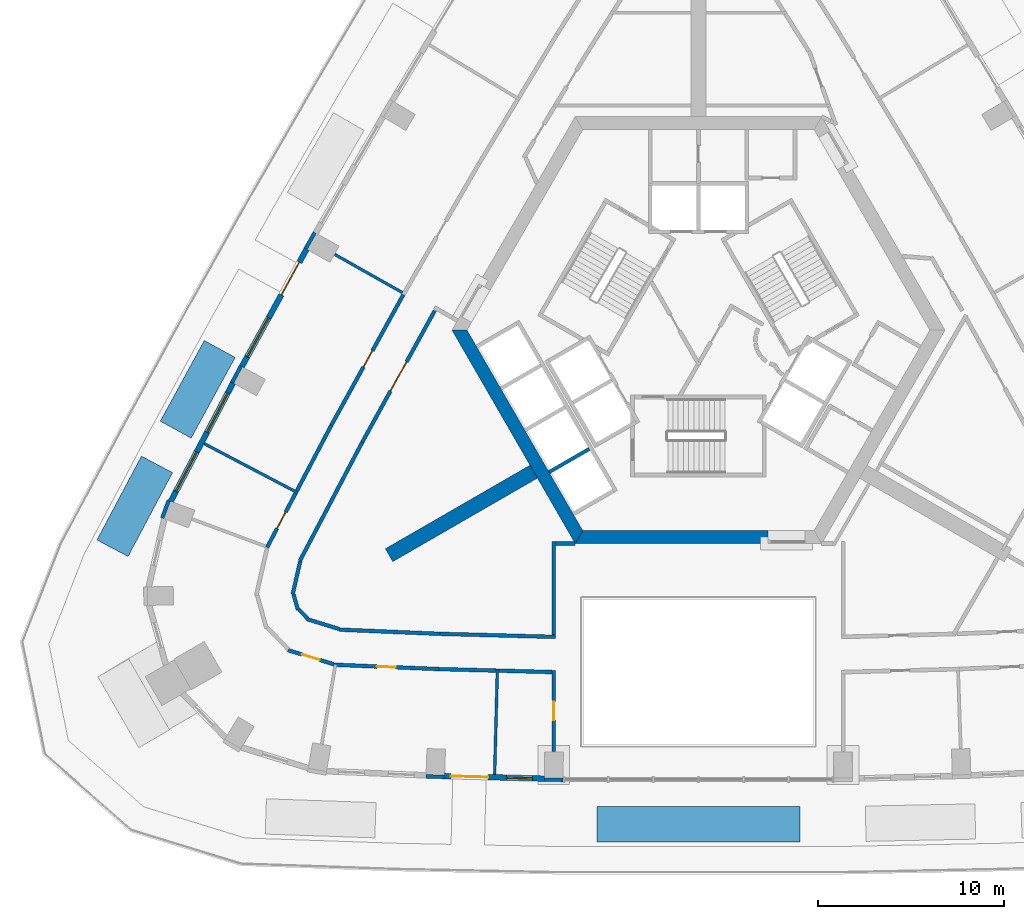
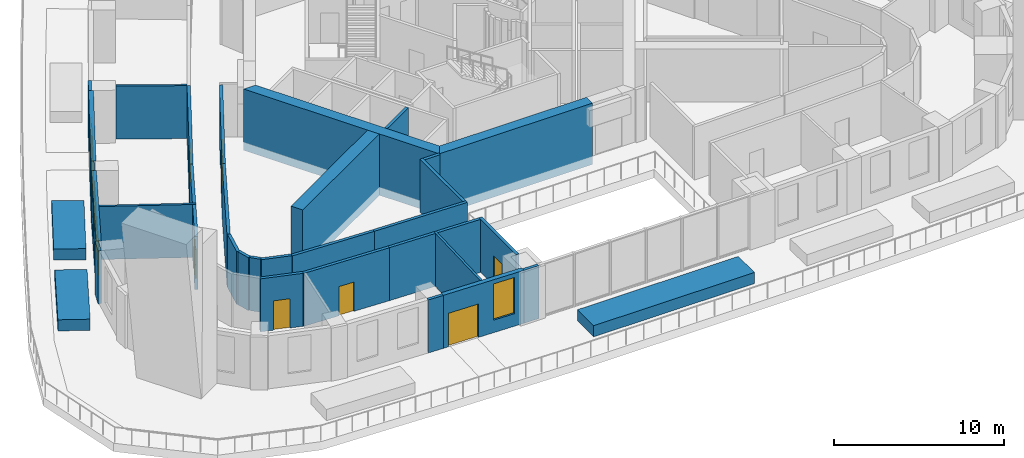
# One storey, part 4 of 13: 36 walls, 8 doors, 4 windows, 12 openings.
"""IFC4 building model written with IfcOpenShell, lengths in metres."""

from ifc_helpers import new_model, si_unit, direction, frame, frame_2d, origin, place, context, subcontext, project, spatial, polyline, rectangle, outline, extrude, material, layer, layer_set, type_object, element, fill, save


model = new_model("IFC4")

# Units and contexts
model_context = context("Model", 3, precision=1e-05, world=origin(), true_north=direction((0.0, 1.0)))
body_context = subcontext(model_context, "Body", "Model", "MODEL_VIEW")
ifc_project = project(units=[si_unit("LENGTHUNIT", "METRE"), si_unit("AREAUNIT", "SQUARE_METRE"), si_unit("VOLUMEUNIT", "CUBIC_METRE"), si_unit("PLANEANGLEUNIT", "RADIAN"), si_unit("MASSUNIT", "GRAM", prefix="KILO")], contexts=[model_context])

# Site, building, storey
site_placement = place(None, origin())
site = spatial("IfcSite", under=ifc_project, at=site_placement, CompositionType="ELEMENT")
building_placement = place(site_placement, origin())
building = spatial("IfcBuilding", under=site, at=building_placement, Name="Entoto Arch Interchange Tower", CompositionType="ELEMENT")
storey_placement = place(building_placement, frame((0.0, 0.0, 189.800048828125)))
storey = spatial("IfcBuildingStorey", under=building, at=storey_placement, Name="L42", CompositionType="ELEMENT", Elevation=189.800048828125)

# Walls
ifc_material_1 = material(Name="Concrete C50/60", Category="concrete")
ifc_layer_1 = layer(ifc_material_1, 0.800048828125)
ifc_layer_set_1 = layer_set([ifc_layer_1], Name="Concrete C50/60")
wall_type_1 = type_object("IfcWallType", Name="Buttress wall 800 C50/60", PredefinedType="SHEAR", material=ifc_layer_set_1)
wall_1_placement = place(storey_placement, frame((-8.876953125, -5.125, -0.60009765625), z_axis=(0.0, 0.0, 1.0), x_axis=(-0.866017533419, -0.500013631625, 0.0)))
element("IfcWall", 1, at=wall_1_placement, inside=storey, type_object=wall_type_1, Name="Buttress wall SW L42", PredefinedType="SHEAR", context=body_context, shape_type="SweptSolid", body=[
    extrude(rectangle(XDim=8.999755859375, YDim=0.800048828125, at=frame_2d((4.5, 0.0))), origin(), (0.0, 0.0, 1.0), 4.400146484375),
])
ifc_layer_2 = layer(ifc_material_1, 0.699951171875)
ifc_layer_set_2 = layer_set([ifc_layer_2], Name="Concrete C50/60")
wall_type_2 = type_object("IfcWallType", Name="Core wall 700 C50/60", PredefinedType="SHEAR", material=ifc_layer_set_2)
wall_2_placement = place(storey_placement, frame((0.0, 0.0, -0.60009765625)))
element("IfcWall", 2, at=wall_2_placement, inside=storey, type_object=wall_type_2, Name="Core wall SW L42", PredefinedType="SHEAR", context=body_context, shape_type="SweptSolid", body=[
    extrude(outline(polyline([(-13.279052734375, 2.5), (-6.639892578125, -9.0), (-6.235107421875, -8.300048828125), (-12.470947265625, 2.5), (-13.279052734375, 2.5)])), origin(), (0.0, 0.0, 1.0), 4.400146484375),
])
wall_3_placement = place(storey_placement, frame((0.0, 0.0, -0.60009765625)))
element("IfcWall", 3, at=wall_3_placement, inside=storey, type_object=wall_type_2, Name="Core wall S L42", PredefinedType="SHEAR", context=body_context, shape_type="SweptSolid", body=[
    extrude(outline(polyline([(3.75, -9.0), (3.75, -8.300048828125), (-6.235107421875, -8.300048828125), (-6.639892578125, -9.0), (3.75, -9.0)])), origin(), (0.0, 0.0, 1.0), 4.400146484375),
])
ifc_material_2 = material(Name="Concrete C40/50", Category="concrete")
ifc_layer_3 = layer(ifc_material_2, 0.199951171875)
ifc_layer_set_3 = layer_set([ifc_layer_3], Name="Concrete C40/50")
wall_type_3 = type_object("IfcWallType", Name="LIFT SHAFT WALL 200", PredefinedType="STANDARD", material=ifc_layer_set_3)
wall_4_placement = place(storey_placement, frame((-5.887939453125, -3.902099609375, 0.0), z_axis=(0.0, 0.0, 1.0), x_axis=(-0.866022959057, -0.500004234368, 0.0)))
element("IfcWall", 4, at=wall_4_placement, inside=storey, type_object=wall_type_3, Name="Shaft wall SW3 cross 4", PredefinedType="STANDARD", context=body_context, shape_type="SweptSolid", body=[
    extrude(rectangle(XDim=2.5, YDim=0.199951171875, at=frame_2d((1.25, 0.0))), origin(), (0.0, 0.0, 1.0), 3.800048828125),
])
ifc_material_3 = material(Name="Gypsum board partition on steel studs", Category="steel")
ifc_layer_4 = layer(ifc_material_3, 0.14990234375)
ifc_layer_set_4 = layer_set([ifc_layer_4], Name="Gypsum board partition on steel studs")
wall_type_4 = type_object("IfcWallType", Name="PARTITION 150", PredefinedType="PARTITIONING", material=ifc_layer_set_4)
wall_5_placement = place(storey_placement, frame((-15.9541015625, 4.52587890625, 0.0), z_axis=(0.0, 0.0, 1.0), x_axis=(-0.870940016277, 0.491389344663, 0.0)))
element("IfcWall", 5, at=wall_5_placement, inside=storey, type_object=wall_type_4, Name="wall:L42:p118", PredefinedType="PARTITIONING", context=body_context, shape_type="SweptSolid", body=[
    extrude(rectangle(XDim=4.180419921875, YDim=0.14990234375, at=frame_2d((2.09033203125, 0.0))), origin(), (0.0, 0.0, 1.0), 3.800048828125),
])
for number, where, z_axis, x_axis, name in (
    (6, (-21.5849609375, -6.26708984375, 0.0), (0.0, 0.0, 1.0), (-0.885073333504, 0.465451602554, 0.0), "wall:L42:p119"),
    (7, (-10.833984375, -15.7451171875, 0.0), (0.0, 0.0, 1.0), (-0.026298797458, -0.999654126812, 0.0), "wall:L42:p122"),
):
    element("IfcWall", number, at=place(storey_placement, frame(where, z_axis=z_axis, x_axis=x_axis)), inside=storey, type_object=wall_type_4, Name=name, PredefinedType="PARTITIONING", context=body_context, shape_type="SweptSolid", body=[
        extrude(rectangle(XDim=5.699951171875, YDim=0.14990234375, at=frame_2d((2.85009765625, 0.0))), origin(), (0.0, 0.0, 1.0), 3.800048828125),
    ])
ifc_layer_5 = layer(ifc_material_3, 0.199951171875)
ifc_layer_set_5 = layer_set([ifc_layer_5], Name="Gypsum board partition on steel studs")
wall_type_5 = type_object("IfcWallType", Name="PARTITION 200", PredefinedType="PARTITIONING", material=ifc_layer_set_5)
wall_6_placement = place(storey_placement, frame((-18.112060546875, -3.531005859375, 0.0), z_axis=(0.0, 0.0, 1.0), x_axis=(-0.465461327558, -0.885068219149, 0.0)))
element("IfcWall", 8, at=wall_6_placement, inside=storey, type_object=wall_type_5, Name="wall:L42:p026", PredefinedType="PARTITIONING", context=body_context, shape_type="SweptSolid", body=[
    extrude(rectangle(XDim=7.235595703125, YDim=0.199951171875, at=frame_2d((3.61767578125, 0.0))), origin(), (0.0, 0.0, 1.0), 3.800048828125),
])
wall_7_placement = place(storey_placement, frame((-21.4560546875, -9.944091796875, 0.0), z_axis=(0.0, 0.0, 1.0), x_axis=(-0.222871656966, -0.974847795567, 0.0)))
element("IfcWall", 9, at=wall_7_placement, inside=storey, type_object=wall_type_5, Name="wall:L42:p027", PredefinedType="PARTITIONING", context=body_context, shape_type="SweptSolid", body=[
    extrude(rectangle(XDim=1.839111328125, YDim=0.199951171875, at=frame_2d((0.91943359375, 0.0))), origin(), (0.0, 0.0, 1.0), 3.800048828125),
])
wall_8_placement = place(storey_placement, frame((-21.81591796875, -11.735107421875, 0.0), z_axis=(0.0, 0.0, 1.0), x_axis=(0.270192443589, -0.962806337447, 0.0)))
element("IfcWall", 10, at=wall_8_placement, inside=storey, type_object=wall_type_5, Name="wall:L42:p028", PredefinedType="PARTITIONING", context=body_context, shape_type="SweptSolid", body=[
    extrude(rectangle(XDim=0.869140625, YDim=0.199951171875, at=frame_2d((0.4345703125, 0.0))), origin(), (0.0, 0.0, 1.0), 3.800048828125),
])
wall_9_placement = place(storey_placement, frame((-21.5380859375, -12.547119140625, 0.0), z_axis=(0.0, 0.0, 1.0), x_axis=(0.697542638825, -0.716543276446, 0.0)))
element("IfcWall", 11, at=wall_9_placement, inside=storey, type_object=wall_type_5, Name="wall:L42:p029", PredefinedType="PARTITIONING", context=body_context, shape_type="SweptSolid", body=[
    extrude(rectangle(XDim=0.668212890625, YDim=0.199951171875, at=frame_2d((0.333984375, 0.0))), origin(), (0.0, 0.0, 1.0), 3.800048828125),
])
wall_10_placement = place(storey_placement, frame((-21.096923828125, -13.068115234375, 0.0), z_axis=(0.0, 0.0, 1.0), x_axis=(0.955790442908, -0.294048685161, 0.0)))
element("IfcWall", 12, at=wall_10_placement, inside=storey, type_object=wall_type_5, Name="wall:L42:p030", PredefinedType="PARTITIONING", context=body_context, shape_type="SweptSolid", body=[
    extrude(rectangle(XDim=1.846435546875, YDim=0.199951171875, at=frame_2d((0.92333984375, 0.0))), origin(), (0.0, 0.0, 1.0), 3.800048828125),
])
wall_11_placement = place(storey_placement, frame((-19.3359375, -13.636962890625, 0.0), z_axis=(0.0, 0.0, 1.0), x_axis=(0.999130261307, -0.041697972867, 0.0)))
element("IfcWall", 13, at=wall_11_placement, inside=storey, type_object=wall_type_5, Name="wall:L42:p031", PredefinedType="PARTITIONING", context=body_context, shape_type="SweptSolid", body=[
    extrude(rectangle(XDim=5.421630859375, YDim=0.199951171875, at=frame_2d((2.7109375, 0.0))), origin(), (0.0, 0.0, 1.0), 3.800048828125),
])
wall_12_placement = place(storey_placement, frame((-13.9189453125, -13.863037109375, 0.0), z_axis=(0.0, 0.0, 1.0), x_axis=(0.999652206272, -0.026371698764, 0.0)))
element("IfcWall", 14, at=wall_12_placement, inside=storey, type_object=wall_type_5, Name="wall:L42:p032", PredefinedType="PARTITIONING", context=body_context, shape_type="SweptSolid", body=[
    extrude(rectangle(XDim=6.22119140625, YDim=0.199951171875, at=frame_2d((3.110595703125, 0.0))), origin(), (0.0, 0.0, 1.0), 3.800048828125),
])

# Wall, opening, door
wall_13_placement = place(storey_placement, frame((-14.212890625, 3.54296875, 0.0), z_axis=(0.0, 0.0, 1.0), x_axis=(-0.482724934882, -0.875772023556, 0.0)))
wall_13 = element("IfcWall", 15, at=wall_13_placement, inside=storey, type_object=wall_type_5, Name="wall:L42:p034", PredefinedType="PARTITIONING", context=body_context, shape_type="SweptSolid", body=[
    extrude(rectangle(XDim=8.077392578125, YDim=0.199951171875, at=frame_2d((4.03857421875, 0.0))), origin(), (0.0, 0.0, 1.0), 3.800048828125),
])
opening_1_placement = place(wall_13_placement, frame((3.138916015625, 0.0, 0.0)))
opening_1 = element("IfcOpeningElement", 16, at=opening_1_placement, cuts=wall_13, Name="Opening L42-D25", PredefinedType="OPENING", context=body_context, shape_type="SweptSolid", body=[
    extrude(rectangle(XDim=1.800048828125, YDim=2.10009765625, at=frame_2d((0.89990234375, 1.050048828125))), frame((0.0, 0.10986328125, 0.0), z_axis=(0.0, -1.0, 0.0), x_axis=(1.0, 0.0, 0.0)), (0.0, 0.0, 1.0), 0.219970703125),
])
ifc_material_4 = material(Name="Timber door leaf in Steel S235 frame", Category="steel")
door_type_1 = type_object("IfcDoorType", Name="DOOR DD-18 1800x2100", OperationType="DOUBLE_DOOR_SINGLE_SWING", PredefinedType="DOOR", material=ifc_material_4)
door_1_placement = place(opening_1_placement, origin())
door_1 = element("IfcDoor", 17, at=door_1_placement, inside=storey, type_object=door_type_1, Name="door:L42:25", OperationType="DOUBLE_DOOR_SINGLE_SWING", OverallHeight=2.10009765625, OverallWidth=1.800048828125, PredefinedType="DOOR", context=body_context, shape_type="SweptSolid", body=[
    extrude(rectangle(XDim=1.800048828125, YDim=2.10009765625, at=frame_2d((0.89990234375, 1.050048828125))), frame((0.0, 0.02490234375, 0.0), z_axis=(0.0, -1.0, 0.0), x_axis=(1.0, 0.0, 0.0)), (0.0, 0.0, 1.0), 0.050048828125),
])
fill(opening_1, door_1)

# Wall
wall_14_placement = place(storey_placement, frame((-21.637939453125, -6.154052734375, 0.0), z_axis=(0.0, 0.0, 1.0), x_axis=(0.465392595139, 0.885104362428, 0.0)))
element("IfcWall", 18, at=wall_14_placement, inside=storey, type_object=wall_type_5, Name="wall:L42:p056", PredefinedType="PARTITIONING", context=body_context, shape_type="SweptSolid", body=[
    extrude(rectangle(XDim=3.981689453125, YDim=0.199951171875, at=frame_2d((1.99072265625, 0.0))), origin(), (0.0, 0.0, 1.0), 3.800048828125),
])

# Wall, opening, door
wall_15_placement = place(storey_placement, frame((-19.784912109375, -2.6298828125, 0.0), z_axis=(0.0, 0.0, 1.0), x_axis=(0.482817232578, 0.875721142788, 0.0)))
wall_15 = element("IfcWall", 19, at=wall_15_placement, inside=storey, type_object=wall_type_5, Name="wall:L42:p057", PredefinedType="PARTITIONING", context=body_context, shape_type="SweptSolid", body=[
    extrude(rectangle(XDim=8.0400390625, YDim=0.199951171875, at=frame_2d((4.02001953125, 0.0))), origin(), (0.0, 0.0, 1.0), 3.800048828125),
])
opening_2_placement = place(wall_15_placement, frame((3.594970703125, 0.0, 0.0)))
opening_2 = element("IfcOpeningElement", 20, at=opening_2_placement, cuts=wall_15, Name="Opening L42-D12", PredefinedType="OPENING", context=body_context, shape_type="SweptSolid", body=[
    extrude(rectangle(XDim=1.0, YDim=2.10009765625, at=frame_2d((0.5, 1.050048828125))), frame((0.0, 0.10986328125, 0.0), z_axis=(0.0, -1.0, 0.0), x_axis=(1.0, 0.0, 0.0)), (0.0, 0.0, 1.0), 0.219970703125),
])
door_type_2 = type_object("IfcDoorType", Name="DOOR DS-10 1000x2100", OperationType="SINGLE_SWING_LEFT", PredefinedType="DOOR", material=ifc_material_4)
door_2_placement = place(opening_2_placement, origin())
door_2 = element("IfcDoor", 21, at=door_2_placement, inside=storey, type_object=door_type_2, Name="door:L42:12", OperationType="SINGLE_SWING_LEFT", OverallHeight=2.10009765625, OverallWidth=1.0, PredefinedType="DOOR", context=body_context, shape_type="SweptSolid", body=[
    extrude(rectangle(XDim=1.0, YDim=2.10009765625, at=frame_2d((0.5, 1.050048828125))), frame((0.0, 0.02490234375, 0.0), z_axis=(0.0, -1.0, 0.0), x_axis=(1.0, 0.0, 0.0)), (0.0, 0.0, 1.0), 0.050048828125),
])
fill(opening_2, door_2)

wall_16_placement = place(storey_placement, frame((-23.241943359375, -9.2041015625, 0.0), z_axis=(0.0, 0.0, 1.0), x_axis=(0.465431933571, 0.885083676955, 0.0)))
wall_16 = element("IfcWall", 22, at=wall_16_placement, inside=storey, type_object=wall_type_5, Name="wall:L42:p058", PredefinedType="PARTITIONING", context=body_context, shape_type="SweptSolid", body=[
    extrude(rectangle(XDim=3.295654296875, YDim=0.199951171875, at=frame_2d((1.64794921875, 0.0))), origin(), (0.0, 0.0, 1.0), 3.800048828125),
])
opening_3_placement = place(wall_16_placement, frame((1.14794921875, 0.0, 0.0)))
opening_3 = element("IfcOpeningElement", 23, at=opening_3_placement, cuts=wall_16, Name="Opening L42-D13", PredefinedType="OPENING", context=body_context, shape_type="SweptSolid", body=[
    extrude(rectangle(XDim=1.0, YDim=2.10009765625, at=frame_2d((0.5, 1.050048828125))), frame((0.0, 0.10986328125, 0.0), z_axis=(0.0, -1.0, 0.0), x_axis=(1.0, 0.0, 0.0)), (0.0, 0.0, 1.0), 0.219970703125),
])
door_3_placement = place(opening_3_placement, origin())
door_3 = element("IfcDoor", 24, at=door_3_placement, inside=storey, type_object=door_type_2, Name="door:L42:13", OperationType="SINGLE_SWING_RIGHT", OverallHeight=2.10009765625, OverallWidth=1.0, PredefinedType="DOOR", context=body_context, shape_type="SweptSolid", body=[
    extrude(rectangle(XDim=1.0, YDim=2.10009765625, at=frame_2d((0.5, 1.050048828125))), frame((0.0, 0.02490234375, 0.0), z_axis=(0.0, -1.0, 0.0), x_axis=(1.0, 0.0, 0.0)), (0.0, 0.0, 1.0), 0.050048828125),
])
fill(opening_3, door_3)

wall_17_placement = place(storey_placement, frame((-19.656982421875, -15.5, 0.0), z_axis=(0.0, 0.0, 1.0), x_axis=(-0.955612889251, 0.294625195625, 0.0)))
wall_17 = element("IfcWall", 25, at=wall_17_placement, inside=storey, type_object=wall_type_5, Name="wall:L42:p059", PredefinedType="PARTITIONING", context=body_context, shape_type="SweptSolid", body=[
    extrude(rectangle(XDim=2.576171875, YDim=0.199951171875, at=frame_2d((1.2880859375, 0.0))), origin(), (0.0, 0.0, 1.0), 3.800048828125),
])
opening_4_placement = place(wall_17_placement, frame((0.7880859375, 0.0, 0.0)))
opening_4 = element("IfcOpeningElement", 26, at=opening_4_placement, cuts=wall_17, Name="Opening L42-D14", PredefinedType="OPENING", context=body_context, shape_type="SweptSolid", body=[
    extrude(rectangle(XDim=1.0, YDim=2.10009765625, at=frame_2d((0.5, 1.050048828125))), frame((0.0, 0.10986328125, 0.0), z_axis=(0.0, -1.0, 0.0), x_axis=(1.0, 0.0, 0.0)), (0.0, 0.0, 1.0), 0.219970703125),
])
door_4_placement = place(opening_4_placement, origin())
door_4 = element("IfcDoor", 27, at=door_4_placement, inside=storey, type_object=door_type_2, Name="door:L42:14", OperationType="SINGLE_SWING_LEFT", OverallHeight=2.10009765625, OverallWidth=1.0, PredefinedType="DOOR", context=body_context, shape_type="SweptSolid", body=[
    extrude(rectangle(XDim=1.0, YDim=2.10009765625, at=frame_2d((0.5, 1.050048828125))), frame((0.0, 0.02490234375, 0.0), z_axis=(0.0, -1.0, 0.0), x_axis=(1.0, 0.0, 0.0)), (0.0, 0.0, 1.0), 0.050048828125),
])
fill(opening_4, door_4)

# Wall
wall_18_placement = place(storey_placement, frame((-10.912109375, -15.843017578125, 0.0), z_axis=(0.0, 0.0, 1.0), x_axis=(-0.999652047394, 0.026377720532, 0.0)))
element("IfcWall", 28, at=wall_18_placement, inside=storey, type_object=wall_type_5, Name="wall:L42:p063", PredefinedType="PARTITIONING", context=body_context, shape_type="SweptSolid", body=[
    extrude(rectangle(XDim=3.07275390625, YDim=0.199951171875, at=frame_2d((1.536376953125, 0.0))), origin(), (0.0, 0.0, 1.0), 3.800048828125),
])

# Wall, opening, door
wall_19_placement = place(storey_placement, frame((-13.98388671875, -15.761962890625, 0.0), z_axis=(0.0, 0.0, 1.0), x_axis=(-0.999129271091, 0.041721692781, 0.0)))
wall_19 = element("IfcWall", 29, at=wall_19_placement, inside=storey, type_object=wall_type_5, Name="wall:L42:p064", PredefinedType="PARTITIONING", context=body_context, shape_type="SweptSolid", body=[
    extrude(rectangle(XDim=5.681884765625, YDim=0.199951171875, at=frame_2d((2.8408203125, 0.0))), origin(), (0.0, 0.0, 1.0), 3.800048828125),
])
opening_5_placement = place(wall_19_placement, frame((2.341064453125, 0.0, 0.0)))
opening_5 = element("IfcOpeningElement", 30, at=opening_5_placement, cuts=wall_19, Name="Opening L42-D15", PredefinedType="OPENING", context=body_context, shape_type="SweptSolid", body=[
    extrude(rectangle(XDim=1.0, YDim=2.10009765625, at=frame_2d((0.5, 1.050048828125))), frame((0.0, 0.10986328125, 0.0), z_axis=(0.0, -1.0, 0.0), x_axis=(1.0, 0.0, 0.0)), (0.0, 0.0, 1.0), 0.219970703125),
])
door_5_placement = place(opening_5_placement, origin())
door_5 = element("IfcDoor", 31, at=door_5_placement, inside=storey, type_object=door_type_2, Name="door:L42:15", OperationType="SINGLE_SWING_LEFT", OverallHeight=2.10009765625, OverallWidth=1.0, PredefinedType="DOOR", context=body_context, shape_type="SweptSolid", body=[
    extrude(rectangle(XDim=1.0, YDim=2.10009765625, at=frame_2d((0.5, 1.050048828125))), frame((0.0, 0.02490234375, 0.0), z_axis=(0.0, -1.0, 0.0), x_axis=(1.0, 0.0, 0.0)), (0.0, 0.0, 1.0), 0.050048828125),
])
fill(opening_5, door_5)

# Walls
wall_20_placement = place(storey_placement, frame((-7.89990234375, -15.922119140625, 0.0), z_axis=(0.0, 0.0, 1.0), x_axis=(-0.999655039681, 0.026264075085, 0.0)))
element("IfcWall", 32, at=wall_20_placement, inside=storey, type_object=wall_type_5, Name="wall:L42:p065", PredefinedType="PARTITIONING", context=body_context, shape_type="SweptSolid", body=[
    extrude(rectangle(XDim=2.863037109375, YDim=0.199951171875, at=frame_2d((1.431640625, 0.0))), origin(), (0.0, 0.0, 1.0), 3.800048828125),
])
wall_21_placement = place(storey_placement, frame((-7.800048828125, -13.924072265625, 0.0), z_axis=(0.0, 0.0, 1.0), x_axis=(0.0, 1.0, 0.0)))
element("IfcWall", 33, at=wall_21_placement, inside=storey, type_object=wall_type_5, Name="wall:L42:p095", PredefinedType="PARTITIONING", context=body_context, shape_type="SweptSolid", body=[
    extrude(rectangle(XDim=5.025146484375, YDim=0.199951171875, at=frame_2d((2.5126953125, 0.0))), origin(), (0.0, 0.0, 1.0), 3.800048828125),
])
wall_22_placement = place(storey_placement, frame((-7.699951171875, -8.9990234375, 0.0), z_axis=(0.0, 0.0, 1.0), x_axis=(1.0, 0.0, 0.0)))
element("IfcWall", 34, at=wall_22_placement, inside=storey, type_object=wall_type_5, Name="wall:L42:p096", PredefinedType="PARTITIONING", context=body_context, shape_type="SweptSolid", body=[
    extrude(rectangle(XDim=1.058837890625, YDim=0.199951171875, at=frame_2d((0.529296875, 0.0))), origin(), (0.0, 0.0, 1.0), 3.800048828125),
])

# Wall, opening, door
wall_23_placement = place(storey_placement, frame((-7.800048828125, -20.20703125, 0.0), z_axis=(0.0, 0.0, 1.0), x_axis=(0.0, 1.0, 0.0)))
wall_23 = element("IfcWall", 35, at=wall_23_placement, inside=storey, type_object=wall_type_5, Name="wall:L42:p098", PredefinedType="PARTITIONING", context=body_context, shape_type="SweptSolid", body=[
    extrude(rectangle(XDim=4.382080078125, YDim=0.199951171875, at=frame_2d((2.19091796875, 0.0))), origin(), (0.0, 0.0, 1.0), 3.800048828125),
])
opening_6_placement = place(wall_23_placement, frame((1.69091796875, 0.0, 0.0)))
opening_6 = element("IfcOpeningElement", 36, at=opening_6_placement, cuts=wall_23, Name="Opening L42-D16", PredefinedType="OPENING", context=body_context, shape_type="SweptSolid", body=[
    extrude(rectangle(XDim=1.0, YDim=2.10009765625, at=frame_2d((0.5, 1.050048828125))), frame((0.0, 0.10986328125, 0.0), z_axis=(0.0, -1.0, 0.0), x_axis=(1.0, 0.0, 0.0)), (0.0, 0.0, 1.0), 0.219970703125),
])
door_6_placement = place(opening_6_placement, origin())
door_6 = element("IfcDoor", 37, at=door_6_placement, inside=storey, type_object=door_type_2, Name="door:L42:16", OperationType="SINGLE_SWING_LEFT", OverallHeight=2.10009765625, OverallWidth=1.0, PredefinedType="DOOR", context=body_context, shape_type="SweptSolid", body=[
    extrude(rectangle(XDim=1.0, YDim=2.10009765625, at=frame_2d((0.5, 1.050048828125))), frame((0.0, 0.02490234375, 0.0), z_axis=(0.0, -1.0, 0.0), x_axis=(1.0, 0.0, 0.0)), (0.0, 0.0, 1.0), 0.050048828125),
])
fill(opening_6, door_6)

# Walls
ifc_material_5 = material(Name="Board-marked precast concrete C50/60", Category="concrete")
ifc_layer_6 = layer(ifc_material_5, 1.89990234375)
ifc_layer_set_6 = layer_set([ifc_layer_6], Name="Board-marked precast concrete C50/60")
wall_type_6 = type_object("IfcWallType", Name="PLANTER RC 1900 Afrocarpus falcatus", PredefinedType="STANDARD", material=ifc_layer_set_6)
wall_24_placement = place(storey_placement, frame((-29.175048828125, -4.73291015625, 0.0), z_axis=(0.0, 0.0, 1.0), x_axis=(-0.468659554366, -0.883378866683, 0.0)))
element("IfcWall", 38, at=wall_24_placement, inside=storey, type_object=wall_type_6, Name="Terrace planter NW-07 L42", PredefinedType="STANDARD", context=body_context, shape_type="SweptSolid", body=[
    extrude(rectangle(XDim=5.114501953125, YDim=1.89990234375, at=frame_2d((2.55712890625, 0.0))), origin(), (0.0, 0.0, 1.0), 0.800048828125),
])
ifc_layer_7 = layer(ifc_material_5, 1.89990234375)
ifc_layer_set_7 = layer_set([ifc_layer_7], Name="Board-marked precast concrete C50/60")
wall_type_7 = type_object("IfcWallType", Name="PLANTER RC 1900 Hagenia abyssinica", PredefinedType="STANDARD", material=ifc_layer_set_7)
wall_25_placement = place(storey_placement, frame((-5.4599609375, -24.116943359375, 0.0), z_axis=(0.0, 0.0, 1.0), x_axis=(1.0, 0.0, 0.0)))
element("IfcWall", 39, at=wall_25_placement, inside=storey, type_object=wall_type_7, Name="Terrace planter S-03 L42", PredefinedType="STANDARD", context=body_context, shape_type="SweptSolid", body=[
    extrude(rectangle(XDim=10.919921875, YDim=1.89990234375, at=frame_2d((5.4599609375, 0.0))), origin(), (0.0, 0.0, 1.0), 0.800048828125),
])
ifc_layer_8 = layer(ifc_material_5, 1.89990234375)
ifc_layer_set_8 = layer_set([ifc_layer_8], Name="Board-marked precast concrete C50/60")
wall_type_8 = type_object("IfcWallType", Name="PLANTER RC 1900 Juniperus procera", PredefinedType="STANDARD", material=ifc_layer_set_8)
wall_26_placement = place(storey_placement, frame((-25.79296875, 1.486083984375, 0.0), z_axis=(0.0, 0.0, 1.0), x_axis=(-0.479445954257, -0.87757140846, 0.0)))
element("IfcWall", 40, at=wall_26_placement, inside=storey, type_object=wall_type_8, Name="Terrace planter NW-06 L42", PredefinedType="STANDARD", context=body_context, shape_type="SweptSolid", body=[
    extrude(rectangle(XDim=4.95361328125, YDim=1.89990234375, at=frame_2d((2.476806640625, 0.0))), origin(), (0.0, 0.0, 1.0), 0.800048828125),
])

# Wall, openings, door, window
ifc_material_6 = material(Name="Welded tuff (ignimbrite) cladding, warm buff", Category="masonry")
ifc_layer_9 = layer(ifc_material_6, 0.300048828125)
ifc_layer_set_9 = layer_set([ifc_layer_9], Name="Welded tuff (ignimbrite) cladding, warm buff")
wall_type_9 = type_object("IfcWallType", Name="STONE INFILL WALL 300", PredefinedType="STANDARD", material=ifc_layer_set_9)
wall_27_placement = place(storey_placement, frame((-13.680908203125, -21.52197265625, 0.0), z_axis=(0.0, 0.0, 1.0), x_axis=(0.999651908676, -0.026382977093, 0.0)))
wall_27 = element("IfcWall", 41, at=wall_27_placement, inside=storey, type_object=wall_type_9, Name="Facade wall S-02 L42", PredefinedType="STANDARD", context=body_context, shape_type="SweptSolid", body=[
    extrude(rectangle(XDim=5.3857421875, YDim=0.300048828125, at=frame_2d((2.69287109375, 0.0))), origin(), (0.0, 0.0, 1.0), 3.800048828125),
])
opening_7_placement = place(wall_27_placement, frame((0.345947265625, 0.0, 0.0)))
opening_7 = element("IfcOpeningElement", 42, at=opening_7_placement, cuts=wall_27, Name="Opening DT-S-02-L42", PredefinedType="OPENING", context=body_context, shape_type="SweptSolid", body=[
    extrude(rectangle(XDim=2.0, YDim=2.39990234375, at=frame_2d((1.0, 1.199951171875))), frame((0.0, 0.16015625, 0.0), z_axis=(0.0, -1.0, 0.0), x_axis=(1.0, 0.0, 0.0)), (0.0, 0.0, 1.0), 0.320068359375),
])
opening_8_placement = place(wall_27_placement, frame((3.339111328125, 0.0, 0.89990234375)))
opening_8 = element("IfcOpeningElement", 43, at=opening_8_placement, cuts=wall_27, Name="Opening WO-B", PredefinedType="OPENING", context=body_context, shape_type="SweptSolid", body=[
    extrude(rectangle(XDim=1.39990234375, YDim=2.60009765625, at=frame_2d((0.699951171875, 1.300048828125))), frame((0.0, 0.16015625, 0.0), z_axis=(0.0, -1.0, 0.0), x_axis=(1.0, 0.0, 0.0)), (0.0, 0.0, 1.0), 0.320068359375),
])
ifc_material_7 = material(Name="Aluminium and clear glass, anodised", Category="aluminium")
door_type_3 = type_object("IfcDoorType", Name="TERRACE DOOR DT 2000x2400", OperationType="SLIDING_TO_LEFT", PredefinedType="DOOR", material=ifc_material_7)
door_7_placement = place(opening_7_placement, origin())
door_7 = element("IfcDoor", 44, at=door_7_placement, inside=storey, type_object=door_type_3, Name="Terrace door S-02 L42", OperationType="SLIDING_TO_LEFT", OverallHeight=2.39990234375, OverallWidth=2.0, PredefinedType="DOOR", context=body_context, shape_type="SweptSolid", body=[
    extrude(rectangle(XDim=2.0, YDim=2.39990234375, at=frame_2d((1.0, 1.199951171875))), frame((0.0, 0.02490234375, 0.0), z_axis=(0.0, -1.0, 0.0), x_axis=(1.0, 0.0, 0.0)), (0.0, 0.0, 1.0), 0.050048828125),
])
fill(opening_7, door_7)
ifc_material_8 = material(Name="Clear glass, low-e double glazed", Category="glass")
window_type_1 = type_object("IfcWindowType", Name="WINDOW WO-B 1400x2600", PartitioningType="DOUBLE_PANEL_VERTICAL", PredefinedType="WINDOW", material=ifc_material_8)
window_1_placement = place(opening_8_placement, origin())
window_1 = element("IfcWindow", 45, at=window_1_placement, inside=storey, type_object=window_type_1, Name="Window WO-B S-02 L42", OverallHeight=2.60009765625, OverallWidth=1.39990234375, PartitioningType="SINGLE_PANEL", PredefinedType="WINDOW", context=body_context, shape_type="SweptSolid", body=[
    extrude(rectangle(XDim=1.39990234375, YDim=2.60009765625, at=frame_2d((0.699951171875, 1.300048828125))), frame((0.0, 0.030029296875, 0.0), z_axis=(0.0, -1.0, 0.0), x_axis=(1.0, 0.0, 0.0)), (0.0, 0.0, 1.0), 0.06005859375),
])
fill(opening_8, window_1)

wall_28_placement = place(storey_placement, frame((-21.115966796875, 6.864990234375, 0.0), z_axis=(0.0, 0.0, 1.0), x_axis=(-0.482862185961, -0.875696356832, 0.0)))
wall_28 = element("IfcWall", 46, at=wall_28_placement, inside=storey, type_object=wall_type_9, Name="Facade wall NW-04 L42", PredefinedType="STANDARD", context=body_context, shape_type="SweptSolid", body=[
    extrude(rectangle(XDim=7.229736328125, YDim=0.300048828125, at=frame_2d((3.61474609375, 0.0))), origin(), (0.0, 0.0, 1.0), 3.800048828125),
])
opening_9_placement = place(wall_28_placement, frame((0.806884765625, 0.0, 0.0)))
opening_9 = element("IfcOpeningElement", 47, at=opening_9_placement, cuts=wall_28, Name="Opening DT-NW-04-L42", PredefinedType="OPENING", context=body_context, shape_type="SweptSolid", body=[
    extrude(rectangle(XDim=2.0, YDim=2.39990234375, at=frame_2d((1.0, 1.199951171875))), frame((0.0, 0.16015625, 0.0), z_axis=(0.0, -1.0, 0.0), x_axis=(1.0, 0.0, 0.0)), (0.0, 0.0, 1.0), 0.320068359375),
])
opening_10_placement = place(wall_28_placement, frame((4.221923828125, 0.0, 0.89990234375)))
opening_10 = element("IfcOpeningElement", 48, at=opening_10_placement, cuts=wall_28, Name="Opening WO-A", PredefinedType="OPENING", context=body_context, shape_type="SweptSolid", body=[
    extrude(rectangle(XDim=2.39990234375, YDim=2.60009765625, at=frame_2d((1.199951171875, 1.300048828125))), frame((0.0, 0.16015625, 0.0), z_axis=(0.0, -1.0, 0.0), x_axis=(1.0, 0.0, 0.0)), (0.0, 0.0, 1.0), 0.320068359375),
])
door_8_placement = place(opening_9_placement, origin())
door_8 = element("IfcDoor", 49, at=door_8_placement, inside=storey, type_object=door_type_3, Name="Terrace door NW-04 L42", OperationType="SLIDING_TO_LEFT", OverallHeight=2.39990234375, OverallWidth=2.0, PredefinedType="DOOR", context=body_context, shape_type="SweptSolid", body=[
    extrude(rectangle(XDim=2.0, YDim=2.39990234375, at=frame_2d((1.0, 1.199951171875))), frame((0.0, 0.02490234375, 0.0), z_axis=(0.0, -1.0, 0.0), x_axis=(1.0, 0.0, 0.0)), (0.0, 0.0, 1.0), 0.050048828125),
])
fill(opening_9, door_8)
window_type_2 = type_object("IfcWindowType", Name="WINDOW WO-A 2400x2600", PartitioningType="DOUBLE_PANEL_VERTICAL", PredefinedType="WINDOW", material=ifc_material_8)
window_2_placement = place(opening_10_placement, origin())
window_2 = element("IfcWindow", 50, at=window_2_placement, inside=storey, type_object=window_type_2, Name="Window WO-A NW-04 L42", OverallHeight=2.60009765625, OverallWidth=2.39990234375, PartitioningType="SINGLE_PANEL", PredefinedType="WINDOW", context=body_context, shape_type="SweptSolid", body=[
    extrude(rectangle(XDim=2.39990234375, YDim=2.60009765625, at=frame_2d((1.199951171875, 1.300048828125))), frame((0.0, 0.030029296875, 0.0), z_axis=(0.0, -1.0, 0.0), x_axis=(1.0, 0.0, 0.0)), (0.0, 0.0, 1.0), 0.06005859375),
])
fill(opening_10, window_2)

# Wall, openings, windows
wall_29_placement = place(storey_placement, frame((-25.080078125, -0.344970703125, 0.0), z_axis=(0.0, 0.0, 1.0), x_axis=(-0.465478369088, -0.885059256723, 0.0)))
wall_29 = element("IfcWall", 51, at=wall_29_placement, inside=storey, type_object=wall_type_9, Name="Facade wall NW-05 L42", PredefinedType="STANDARD", context=body_context, shape_type="SweptSolid", body=[
    extrude(rectangle(XDim=7.20751953125, YDim=0.300048828125, at=frame_2d((3.603759765625, 0.0))), origin(), (0.0, 0.0, 1.0), 3.800048828125),
])
opening_11_placement = place(wall_29_placement, frame((0.60205078125, 0.0, 0.89990234375)))
opening_11 = element("IfcOpeningElement", 52, at=opening_11_placement, cuts=wall_29, Name="Opening WO-A", PredefinedType="OPENING", context=body_context, shape_type="SweptSolid", body=[
    extrude(rectangle(XDim=2.39990234375, YDim=2.60009765625, at=frame_2d((1.199951171875, 1.300048828125))), frame((0.0, 0.16015625, 0.0), z_axis=(0.0, -1.0, 0.0), x_axis=(1.0, 0.0, 0.0)), (0.0, 0.0, 1.0), 0.320068359375),
])
opening_12_placement = place(wall_29_placement, frame((4.2060546875, 0.0, 0.89990234375)))
opening_12 = element("IfcOpeningElement", 53, at=opening_12_placement, cuts=wall_29, Name="Opening WO-A", PredefinedType="OPENING", context=body_context, shape_type="SweptSolid", body=[
    extrude(rectangle(XDim=2.39990234375, YDim=2.60009765625, at=frame_2d((1.199951171875, 1.300048828125))), frame((0.0, 0.16015625, 0.0), z_axis=(0.0, -1.0, 0.0), x_axis=(1.0, 0.0, 0.0)), (0.0, 0.0, 1.0), 0.320068359375),
])
window_3_placement = place(opening_11_placement, origin())
window_3 = element("IfcWindow", 54, at=window_3_placement, inside=storey, type_object=window_type_2, Name="Window WO-A NW-05 L42", OverallHeight=2.60009765625, OverallWidth=2.39990234375, PartitioningType="SINGLE_PANEL", PredefinedType="WINDOW", context=body_context, shape_type="SweptSolid", body=[
    extrude(rectangle(XDim=2.39990234375, YDim=2.60009765625, at=frame_2d((1.199951171875, 1.300048828125))), frame((0.0, 0.030029296875, 0.0), z_axis=(0.0, -1.0, 0.0), x_axis=(1.0, 0.0, 0.0)), (0.0, 0.0, 1.0), 0.06005859375),
])
fill(opening_11, window_3)
window_4_placement = place(opening_12_placement, origin())
window_4 = element("IfcWindow", 55, at=window_4_placement, inside=storey, type_object=window_type_2, Name="Window WO-A NW-05 L42", OverallHeight=2.60009765625, OverallWidth=2.39990234375, PartitioningType="SINGLE_PANEL", PredefinedType="WINDOW", context=body_context, shape_type="SweptSolid", body=[
    extrude(rectangle(XDim=2.39990234375, YDim=2.60009765625, at=frame_2d((1.199951171875, 1.300048828125))), frame((0.0, 0.030029296875, 0.0), z_axis=(0.0, -1.0, 0.0), x_axis=(1.0, 0.0, 0.0)), (0.0, 0.0, 1.0), 0.06005859375),
])
fill(opening_12, window_4)

# Walls
ifc_layer_10 = layer(ifc_material_6, 0.199951171875)
ifc_layer_set_10 = layer_set([ifc_layer_10], Name="Welded tuff (ignimbrite) cladding, warm buff")
wall_type_10 = type_object("IfcWallType", Name="STONE PIER CLADDING 200", PredefinedType="STANDARD", material=ifc_layer_set_10)
wall_30_placement = place(storey_placement, frame((-20.673095703125, 7.761962890625, 0.0), z_axis=(0.0, 0.0, 1.0), x_axis=(-0.491848119507, -0.870681013539, 0.0)))
element("IfcWall", 56, at=wall_30_placement, inside=storey, type_object=wall_type_10, Name="Stone pier NW04 L42", PredefinedType="STANDARD", context=body_context, shape_type="SweptSolid", body=[
    extrude(rectangle(XDim=1.000244140625, YDim=0.199951171875, at=frame_2d((0.5, 0.0))), origin(), (0.0, 0.0, 1.0), 3.800048828125),
])
wall_31_placement = place(storey_placement, frame((-24.655029296875, 0.56103515625, 0.0), z_axis=(0.0, 0.0, 1.0), x_axis=(-0.473663196434, -0.88070606694, 0.0)))
element("IfcWall", 57, at=wall_31_placement, inside=storey, type_object=wall_type_10, Name="Stone pier NW05 L42", PredefinedType="STANDARD", context=body_context, shape_type="SweptSolid", body=[
    extrude(rectangle(XDim=1.00048828125, YDim=0.199951171875, at=frame_2d((0.500244140625, 0.0))), origin(), (0.0, 0.0, 1.0), 3.800048828125),
])
wall_32_placement = place(storey_placement, frame((-28.5439453125, -6.68310546875, 0.0), z_axis=(0.0, 0.0, 1.0), x_axis=(-0.347107644204, -0.937825294677, 0.0)))
element("IfcWall", 58, at=wall_32_placement, inside=storey, type_object=wall_type_10, Name="Stone pier NW06 L42", PredefinedType="STANDARD", context=body_context, shape_type="SweptSolid", body=[
    extrude(rectangle(XDim=1.000244140625, YDim=0.199951171875, at=frame_2d((0.5, 0.0))), origin(), (0.0, 0.0, 1.0), 3.800048828125),
])
wall_33_placement = place(storey_placement, frame((-14.680908203125, -21.5419921875, 0.0), z_axis=(0.0, 0.0, 1.0), x_axis=(0.999423561854, -0.033949138587, 0.0)))
element("IfcWall", 59, at=wall_33_placement, inside=storey, type_object=wall_type_10, Name="Stone pier S02 L42", PredefinedType="STANDARD", context=body_context, shape_type="SweptSolid", body=[
    extrude(rectangle(XDim=0.99951171875, YDim=0.199951171875, at=frame_2d((0.499755859375, 0.0))), origin(), (0.0, 0.0, 1.0), 3.800048828125),
])
wall_34_placement = place(storey_placement, frame((-8.299072265625, -21.719970703125, 0.0), z_axis=(0.0, 0.0, 1.0), x_axis=(0.999903186316, -0.013914668364, 0.0)))
element("IfcWall", 60, at=wall_34_placement, inside=storey, type_object=wall_type_10, Name="Stone pier S03 L42", PredefinedType="STANDARD", context=body_context, shape_type="SweptSolid", body=[
    extrude(rectangle(XDim=1.0, YDim=0.199951171875, at=frame_2d((0.5, 0.0))), origin(), (0.0, 0.0, 1.0), 3.800048828125),
])

save(model, "model.ifc")
